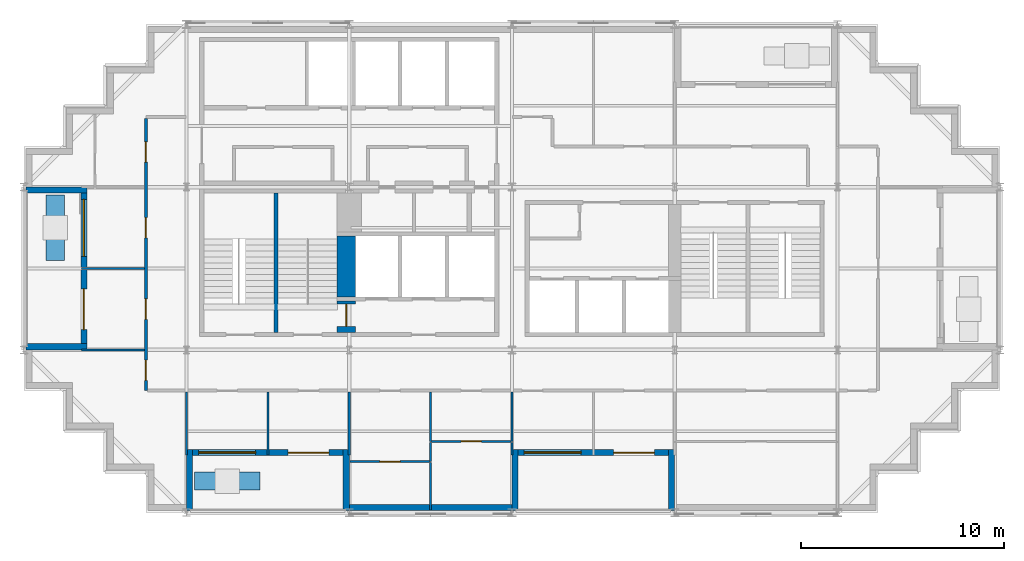
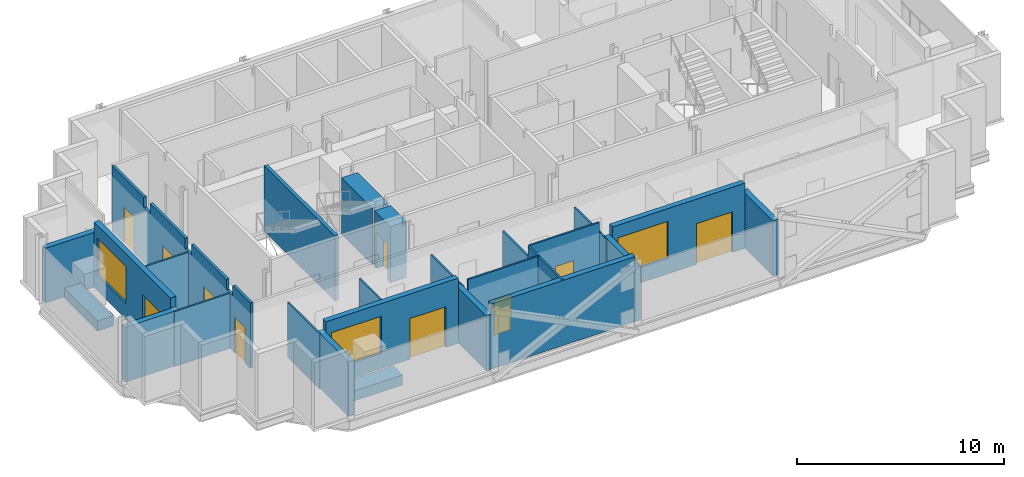
# One storey, part 4 of 10: 28 walls, 10 doors, 3 windows, 13 openings.
"""IFC4 building model written with IfcOpenShell, lengths in metres."""

from ifc_helpers import new_model, si_unit, direction, frame, frame_2d, origin, place, context, subcontext, project, spatial, polyline, rectangle, outline, extrude, material, layer, layer_set, type_object, element, fill, save


model = new_model("IFC4")

# Units and contexts
model_context = context("Model", 3, precision=1e-05, world=origin(), true_north=direction((0.0, 1.0)))
body_context = subcontext(model_context, "Body", "Model", "MODEL_VIEW")
ifc_project = project(units=[si_unit("LENGTHUNIT", "METRE"), si_unit("AREAUNIT", "SQUARE_METRE"), si_unit("VOLUMEUNIT", "CUBIC_METRE"), si_unit("PLANEANGLEUNIT", "RADIAN"), si_unit("MASSUNIT", "GRAM", prefix="KILO")], contexts=[model_context])

# Site, building, storey
site_placement = place(None, origin())
site = spatial("IfcSite", under=ifc_project, at=site_placement, CompositionType="ELEMENT")
building_placement = place(site_placement, origin())
building = spatial("IfcBuilding", under=site, at=building_placement, Name="Immortelle Media Tower", CompositionType="ELEMENT")
storey_placement = place(building_placement, frame((0.0, 0.0, 291.0)))
storey = spatial("IfcBuildingStorey", under=building, at=storey_placement, Name="L64", CompositionType="ELEMENT", Elevation=291.0)

# Wall, openings, doors
ifc_material_1 = material(Name="Fire-rated gypsum board", Category="gypsum")
ifc_layer_1 = layer(ifc_material_1, 0.012451171875)
ifc_material_2 = material(Name="Steel ASTM A653 SS Gr 50 stud frame with mineral wool", Category="steel")
ifc_layer_2 = layer(ifc_material_2, 0.125)
ifc_layer_3 = layer(ifc_material_1, 0.012451171875)
ifc_layer_set_1 = layer_set([ifc_layer_1, ifc_layer_2, ifc_layer_3], Name="Steel ASTM A653 SS Gr 50 stud frame with mineral wool")
wall_type_1 = type_object("IfcWallType", Name="Corridor wall 150", PredefinedType="PARTITIONING", material=ifc_layer_set_1)
wall_1_placement = place(storey_placement, frame((6.0, 6.0, 0.0), z_axis=(0.0, 0.0, 1.0), x_axis=(0.0, 1.0, 0.0)))
wall_1 = element("IfcWall", 1, at=wall_1_placement, inside=storey, type_object=wall_type_1, Name="Partition L64-018", PredefinedType="PARTITIONING", context=body_context, shape_type="SweptSolid", body=[
    extrude(outline(polyline([(0.0, 0.0), (13.375, 0.0), (13.375, 3.85009765625), (10.300048828125, 3.85009765625), (10.298095703125, 3.238037109375), (9.701904296875, 3.238037109375), (9.699951171875, 3.85009765625), (6.300048828125, 3.85009765625), (6.298095703125, 3.238037109375), (5.701904296875, 3.238037109375), (5.699951171875, 3.85009765625), (2.300048828125, 3.85009765625), (2.298095703125, 3.238037109375), (1.701904296875, 3.238037109375), (1.699951171875, 3.85009765625), (0.0, 3.85009765625), (0.0, 0.0)])), frame((0.0, 0.074951171875, 0.0), z_axis=(0.0, -1.0, 0.0), x_axis=(1.0, 0.0, 0.0)), (0.0, 0.0, 1.0), 0.14990234375),
])
opening_1_placement = place(wall_1_placement, frame((0.5, 0.0, 0.0)))
opening_1 = element("IfcOpeningElement", 2, at=opening_1_placement, cuts=wall_1, Name="Opening X6-F011", PredefinedType="OPENING", context=body_context, shape_type="SweptSolid", body=[
    extrude(rectangle(XDim=1.0, YDim=2.10009765625, at=frame_2d((0.5, 1.050048828125))), frame((0.0, 0.0849609375, 0.0), z_axis=(0.0, -1.0, 0.0), x_axis=(1.0, 0.0, 0.0)), (0.0, 0.0, 1.0), 0.169921875),
])
opening_2_placement = place(wall_1_placement, frame((3.5, 0.0, 0.0)))
opening_2 = element("IfcOpeningElement", 3, at=opening_2_placement, cuts=wall_1, Name="Opening X6-F013", PredefinedType="OPENING", context=body_context, shape_type="SweptSolid", body=[
    extrude(rectangle(XDim=1.0, YDim=2.10009765625, at=frame_2d((0.5, 1.050048828125))), frame((0.0, 0.0849609375, 0.0), z_axis=(0.0, -1.0, 0.0), x_axis=(1.0, 0.0, 0.0)), (0.0, 0.0, 1.0), 0.169921875),
])
opening_3_placement = place(wall_1_placement, frame((7.5, 0.0, 0.0)))
opening_3 = element("IfcOpeningElement", 4, at=opening_3_placement, cuts=wall_1, Name="Opening X6-F014", PredefinedType="OPENING", context=body_context, shape_type="SweptSolid", body=[
    extrude(rectangle(XDim=1.0, YDim=2.10009765625, at=frame_2d((0.5, 1.050048828125))), frame((0.0, 0.0849609375, 0.0), z_axis=(0.0, -1.0, 0.0), x_axis=(1.0, 0.0, 0.0)), (0.0, 0.0, 1.0), 0.169921875),
])
opening_4_placement = place(wall_1_placement, frame((11.22509765625, 0.0, 0.0)))
opening_4 = element("IfcOpeningElement", 5, at=opening_4_placement, cuts=wall_1, Name="Opening X6-F016", PredefinedType="OPENING", context=body_context, shape_type="SweptSolid", body=[
    extrude(rectangle(XDim=1.0, YDim=2.10009765625, at=frame_2d((0.5, 1.050048828125))), frame((0.0, 0.0849609375, 0.0), z_axis=(0.0, -1.0, 0.0), x_axis=(1.0, 0.0, 0.0)), (0.0, 0.0, 1.0), 0.169921875),
])
ifc_material_3 = material(Name="Timber veneered door leaf, galvanised steel frame ASTM A653", Category="steel")
door_type_1 = type_object("IfcDoorType", Name="Room door 1000 x 2100", OperationType="NOTDEFINED", PredefinedType="DOOR", material=ifc_material_3)
door_1_placement = place(opening_1_placement, origin())
door_1 = element("IfcDoor", 6, at=door_1_placement, inside=storey, type_object=door_type_1, Name="Door X6-F011", OperationType="SINGLE_SWING_RIGHT", OverallHeight=2.10009765625, OverallWidth=1.0, PredefinedType="DOOR", context=body_context, shape_type="SweptSolid", body=[
    extrude(rectangle(XDim=1.0, YDim=2.10009765625, at=frame_2d((0.5, 1.050048828125))), frame((0.0, 0.02490234375, 0.0), z_axis=(0.0, -1.0, 0.0), x_axis=(1.0, 0.0, 0.0)), (0.0, 0.0, 1.0), 0.050048828125),
])
fill(opening_1, door_1)
door_2_placement = place(opening_2_placement, origin())
door_2 = element("IfcDoor", 7, at=door_2_placement, inside=storey, type_object=door_type_1, Name="Door X6-F013", OperationType="SINGLE_SWING_RIGHT", OverallHeight=2.10009765625, OverallWidth=1.0, PredefinedType="DOOR", context=body_context, shape_type="SweptSolid", body=[
    extrude(rectangle(XDim=1.0, YDim=2.10009765625, at=frame_2d((0.5, 1.050048828125))), frame((0.0, 0.02490234375, 0.0), z_axis=(0.0, -1.0, 0.0), x_axis=(1.0, 0.0, 0.0)), (0.0, 0.0, 1.0), 0.050048828125),
])
fill(opening_2, door_2)
door_3_placement = place(opening_3_placement, origin())
door_3 = element("IfcDoor", 8, at=door_3_placement, inside=storey, type_object=door_type_1, Name="Door X6-F014", OperationType="SINGLE_SWING_RIGHT", OverallHeight=2.10009765625, OverallWidth=1.0, PredefinedType="DOOR", context=body_context, shape_type="SweptSolid", body=[
    extrude(rectangle(XDim=1.0, YDim=2.10009765625, at=frame_2d((0.5, 1.050048828125))), frame((0.0, 0.02490234375, 0.0), z_axis=(0.0, -1.0, 0.0), x_axis=(1.0, 0.0, 0.0)), (0.0, 0.0, 1.0), 0.050048828125),
])
fill(opening_3, door_3)
door_4_placement = place(opening_4_placement, origin())
door_4 = element("IfcDoor", 9, at=door_4_placement, inside=storey, type_object=door_type_1, Name="Door X6-F016", OperationType="SINGLE_SWING_LEFT", OverallHeight=2.10009765625, OverallWidth=1.0, PredefinedType="DOOR", context=body_context, shape_type="SweptSolid", body=[
    extrude(rectangle(XDim=1.0, YDim=2.10009765625, at=frame_2d((0.5, 1.050048828125))), frame((0.0, 0.02490234375, 0.0), z_axis=(0.0, -1.0, 0.0), x_axis=(1.0, 0.0, 0.0)), (0.0, 0.0, 1.0), 0.050048828125),
])
fill(opening_4, door_4)

# Wall, openings, door, window
ifc_material_4 = material(Name="Pale aluminium cladding panel", Category="aluminium")
ifc_layer_4 = layer(ifc_material_4, 0.030029296875)
ifc_layer_5 = layer(ifc_material_2, 0.257568359375)
ifc_material_5 = material(Name="Moisture-resistant gypsum board", Category="gypsum")
ifc_layer_6 = layer(ifc_material_5, 0.012451171875)
ifc_layer_set_2 = layer_set([ifc_layer_4, ifc_layer_5, ifc_layer_6], Name="Steel ASTM A653 SS Gr 50 stud frame with mineral wool")
wall_type_2 = type_object("IfcWallType", Name="Facade wall 300", PredefinedType="SOLIDWALL", material=ifc_layer_set_2)
wall_2_placement = place(storey_placement, frame((8.300048828125, 2.949951171875, 0.0), z_axis=(0.0, 0.0, 1.0), x_axis=(1.0, 0.0, 0.0)))
wall_2 = element("IfcWall", 10, at=wall_2_placement, inside=storey, type_object=wall_type_2, Name="Loggia wall L64 S6", PredefinedType="SOLIDWALL", context=body_context, shape_type="SweptSolid", body=[
    extrude(rectangle(XDim=7.39990234375, YDim=0.300048828125, at=frame_2d((3.699951171875, 0.0))), origin(), (0.0, 0.0, 1.0), 3.85009765625),
])
opening_5_placement = place(wall_2_placement, frame((0.300048828125, 0.0, 0.89990234375)))
opening_5 = element("IfcOpeningElement", 11, at=opening_5_placement, cuts=wall_2, Name="Opening W1", PredefinedType="OPENING", context=body_context, shape_type="SweptSolid", body=[
    extrude(rectangle(XDim=2.800048828125, YDim=2.199951171875, at=frame_2d((1.39990234375, 1.10009765625))), frame((0.0, 0.159912109375, 0.0), z_axis=(0.0, -1.0, 0.0), x_axis=(1.0, 0.0, 0.0)), (0.0, 0.0, 1.0), 0.320068359375),
])
opening_6_placement = place(wall_2_placement, frame((4.699951171875, 0.0, 0.0)))
opening_6 = element("IfcOpeningElement", 12, at=opening_6_placement, cuts=wall_2, Name="Opening X6-E001", PredefinedType="OPENING", context=body_context, shape_type="SweptSolid", body=[
    extrude(rectangle(XDim=2.0, YDim=2.39990234375, at=frame_2d((1.0, 1.199951171875))), frame((0.0, 0.159912109375, 0.0), z_axis=(0.0, -1.0, 0.0), x_axis=(1.0, 0.0, 0.0)), (0.0, 0.0, 1.0), 0.320068359375),
])
ifc_material_6 = material(Name="Aluminium frame, glazed leaves", Category="aluminium")
door_type_2 = type_object("IfcDoorType", Name="Loggia door 2000 x 2400", OperationType="DOUBLE_DOOR_SINGLE_SWING", PredefinedType="DOOR", material=ifc_material_6)
door_5_placement = place(opening_6_placement, origin())
door_5 = element("IfcDoor", 13, at=door_5_placement, inside=storey, type_object=door_type_2, Name="Door X6-E001", OperationType="DOUBLE_DOOR_SINGLE_SWING", OverallHeight=2.39990234375, OverallWidth=2.0, PredefinedType="DOOR", context=body_context, shape_type="SweptSolid", body=[
    extrude(rectangle(XDim=2.0, YDim=2.39990234375, at=frame_2d((1.0, 1.199951171875))), frame((0.0, 0.02490234375, 0.0), z_axis=(0.0, -1.0, 0.0), x_axis=(1.0, 0.0, 0.0)), (0.0, 0.0, 1.0), 0.050048828125),
])
fill(opening_6, door_5)
ifc_material_7 = material(Name="Aluminium frame", Category="aluminium")
window_type = type_object("IfcWindowType", Name="Window 2800 x 2200", PartitioningType="SINGLE_PANEL", PredefinedType="WINDOW", material=ifc_material_7)
window_1_placement = place(opening_5_placement, origin())
window_1 = element("IfcWindow", 14, at=window_1_placement, inside=storey, type_object=window_type, Name="Window L64 L64-R6-B0", OverallHeight=2.199951171875, OverallWidth=2.800048828125, PartitioningType="SINGLE_PANEL", PredefinedType="WINDOW", context=body_context, shape_type="SweptSolid", body=[
    extrude(rectangle(XDim=2.800048828125, YDim=2.199951171875, at=frame_2d((1.39990234375, 1.10009765625))), frame((0.0, 0.030029296875, 0.0), z_axis=(0.0, -1.0, 0.0), x_axis=(1.0, 0.0, 0.0)), (0.0, 0.0, 1.0), 0.06005859375),
])
fill(opening_5, window_1)

# Walls
wall_3_placement = place(storey_placement, frame((8.14990234375, 0.10009765625, 0.0), z_axis=(0.0, 0.0, 1.0), x_axis=(0.0, 1.0, 0.0)))
element("IfcWall", 15, at=wall_3_placement, inside=storey, type_object=wall_type_2, Name="Loggia cheek wall L64 S", PredefinedType="SOLIDWALL", context=body_context, shape_type="SweptSolid", body=[
    extrude(rectangle(XDim=3.0, YDim=0.300048828125, at=frame_2d((1.5, 0.0))), origin(), (0.0, 0.0, 1.0), 3.237060546875),
])
wall_4_placement = place(storey_placement, frame((15.85009765625, 0.10009765625, 0.0), z_axis=(0.0, 0.0, 1.0), x_axis=(0.0, 1.0, 0.0)))
element("IfcWall", 16, at=wall_4_placement, inside=storey, type_object=wall_type_2, Name="Loggia cheek wall L64 S", PredefinedType="SOLIDWALL", context=body_context, shape_type="SweptSolid", body=[
    extrude(rectangle(XDim=3.0, YDim=0.300048828125, at=frame_2d((1.5, 0.0))), origin(), (0.0, 0.0, 1.0), 3.2470703125),
])
wall_5_placement = place(storey_placement, frame((16.0, 0.25, 0.0), z_axis=(0.0, 0.0, 1.0), x_axis=(1.0, 0.0, 0.0)))
element("IfcWall", 17, at=wall_5_placement, inside=storey, type_object=wall_type_2, Name="Facade wall L64 S6", PredefinedType="SOLIDWALL", context=body_context, shape_type="SweptSolid", body=[
    extrude(rectangle(XDim=8.0, YDim=0.300048828125, at=frame_2d((4.0, 0.0))), origin(), (0.0, 0.0, 1.0), 3.85009765625),
])

# Wall, openings, door, window
wall_6_placement = place(storey_placement, frame((24.300048828125, 2.949951171875, 0.0), z_axis=(0.0, 0.0, 1.0), x_axis=(1.0, 0.0, 0.0)))
wall_6 = element("IfcWall", 18, at=wall_6_placement, inside=storey, type_object=wall_type_2, Name="Loggia wall L64 S6", PredefinedType="SOLIDWALL", context=body_context, shape_type="SweptSolid", body=[
    extrude(rectangle(XDim=7.39990234375, YDim=0.300048828125, at=frame_2d((3.699951171875, 0.0))), origin(), (0.0, 0.0, 1.0), 3.85009765625),
])
opening_7_placement = place(wall_6_placement, frame((0.300048828125, 0.0, 0.89990234375)))
opening_7 = element("IfcOpeningElement", 19, at=opening_7_placement, cuts=wall_6, Name="Opening W1", PredefinedType="OPENING", context=body_context, shape_type="SweptSolid", body=[
    extrude(rectangle(XDim=2.800048828125, YDim=2.199951171875, at=frame_2d((1.39990234375, 1.10009765625))), frame((0.0, 0.159912109375, 0.0), z_axis=(0.0, -1.0, 0.0), x_axis=(1.0, 0.0, 0.0)), (0.0, 0.0, 1.0), 0.320068359375),
])
opening_8_placement = place(wall_6_placement, frame((4.699951171875, 0.0, 0.0)))
opening_8 = element("IfcOpeningElement", 20, at=opening_8_placement, cuts=wall_6, Name="Opening X6-E002", PredefinedType="OPENING", context=body_context, shape_type="SweptSolid", body=[
    extrude(rectangle(XDim=2.0, YDim=2.39990234375, at=frame_2d((1.0, 1.199951171875))), frame((0.0, 0.159912109375, 0.0), z_axis=(0.0, -1.0, 0.0), x_axis=(1.0, 0.0, 0.0)), (0.0, 0.0, 1.0), 0.320068359375),
])
door_6_placement = place(opening_8_placement, origin())
door_6 = element("IfcDoor", 21, at=door_6_placement, inside=storey, type_object=door_type_2, Name="Door X6-E002", OperationType="DOUBLE_DOOR_SINGLE_SWING", OverallHeight=2.39990234375, OverallWidth=2.0, PredefinedType="DOOR", context=body_context, shape_type="SweptSolid", body=[
    extrude(rectangle(XDim=2.0, YDim=2.39990234375, at=frame_2d((1.0, 1.199951171875))), frame((0.0, 0.02490234375, 0.0), z_axis=(0.0, -1.0, 0.0), x_axis=(1.0, 0.0, 0.0)), (0.0, 0.0, 1.0), 0.050048828125),
])
fill(opening_8, door_6)
window_2_placement = place(opening_7_placement, origin())
window_2 = element("IfcWindow", 22, at=window_2_placement, inside=storey, type_object=window_type, Name="Window L64 L64-R6-B2", OverallHeight=2.199951171875, OverallWidth=2.800048828125, PartitioningType="SINGLE_PANEL", PredefinedType="WINDOW", context=body_context, shape_type="SweptSolid", body=[
    extrude(rectangle(XDim=2.800048828125, YDim=2.199951171875, at=frame_2d((1.39990234375, 1.10009765625))), frame((0.0, 0.030029296875, 0.0), z_axis=(0.0, -1.0, 0.0), x_axis=(1.0, 0.0, 0.0)), (0.0, 0.0, 1.0), 0.06005859375),
])
fill(opening_7, window_2)

# Walls
for number, where, z_axis, x_axis, name in (
    (23, (24.14990234375, 0.10009765625, 0.0), (0.0, 0.0, 1.0), (0.0, 1.0, 0.0), "Loggia cheek wall L64 S"),
    (24, (31.85009765625, 0.10009765625, 0.0), (0.0, 0.0, 1.0), (0.0, 1.0, 0.0), "Loggia cheek wall L64 S"),
):
    element("IfcWall", number, at=place(storey_placement, frame(where, z_axis=z_axis, x_axis=x_axis)), inside=storey, type_object=wall_type_2, Name=name, PredefinedType="SOLIDWALL", context=body_context, shape_type="SweptSolid", body=[
        extrude(rectangle(XDim=3.0, YDim=0.300048828125, at=frame_2d((1.5, 0.0))), origin(), (0.0, 0.0, 1.0), 3.2470703125),
    ])

# Wall, openings, door, window
wall_7_placement = place(storey_placement, frame((2.949951171875, 15.699951171875, 0.0), z_axis=(0.0, 0.0, 1.0), x_axis=(0.0, -1.0, 0.0)))
wall_7 = element("IfcWall", 25, at=wall_7_placement, inside=storey, type_object=wall_type_2, Name="Loggia wall L64 W27", PredefinedType="SOLIDWALL", context=body_context, shape_type="SweptSolid", body=[
    extrude(rectangle(XDim=7.39990234375, YDim=0.300048828125, at=frame_2d((3.699951171875, 0.0))), origin(), (0.0, 0.0, 1.0), 3.85009765625),
])
opening_9_placement = place(wall_7_placement, frame((0.300048828125, 0.0, 0.89990234375)))
opening_9 = element("IfcOpeningElement", 26, at=opening_9_placement, cuts=wall_7, Name="Opening W1", PredefinedType="OPENING", context=body_context, shape_type="SweptSolid", body=[
    extrude(rectangle(XDim=2.800048828125, YDim=2.199951171875, at=frame_2d((1.39990234375, 1.10009765625))), frame((0.0, 0.159912109375, 0.0), z_axis=(0.0, -1.0, 0.0), x_axis=(1.0, 0.0, 0.0)), (0.0, 0.0, 1.0), 0.320068359375),
])
opening_10_placement = place(wall_7_placement, frame((4.699951171875, 0.0, 0.0)))
opening_10 = element("IfcOpeningElement", 27, at=opening_10_placement, cuts=wall_7, Name="Opening X6-E006", PredefinedType="OPENING", context=body_context, shape_type="SweptSolid", body=[
    extrude(rectangle(XDim=2.0, YDim=2.39990234375, at=frame_2d((1.0, 1.199951171875))), frame((0.0, 0.159912109375, 0.0), z_axis=(0.0, -1.0, 0.0), x_axis=(1.0, 0.0, 0.0)), (0.0, 0.0, 1.0), 0.320068359375),
])
door_7_placement = place(opening_10_placement, origin())
door_7 = element("IfcDoor", 28, at=door_7_placement, inside=storey, type_object=door_type_2, Name="Door X6-E006", OperationType="DOUBLE_DOOR_SINGLE_SWING", OverallHeight=2.39990234375, OverallWidth=2.0, PredefinedType="DOOR", context=body_context, shape_type="SweptSolid", body=[
    extrude(rectangle(XDim=2.0, YDim=2.39990234375, at=frame_2d((1.0, 1.199951171875))), frame((0.0, 0.02490234375, 0.0), z_axis=(0.0, -1.0, 0.0), x_axis=(1.0, 0.0, 0.0)), (0.0, 0.0, 1.0), 0.050048828125),
])
fill(opening_10, door_7)
window_3_placement = place(opening_9_placement, origin())
window_3 = element("IfcWindow", 29, at=window_3_placement, inside=storey, type_object=window_type, Name="Window L64 L64-R27-B0", OverallHeight=2.199951171875, OverallWidth=2.800048828125, PartitioningType="SINGLE_PANEL", PredefinedType="WINDOW", context=body_context, shape_type="SweptSolid", body=[
    extrude(rectangle(XDim=2.800048828125, YDim=2.199951171875, at=frame_2d((1.39990234375, 1.10009765625))), frame((0.0, 0.030029296875, 0.0), z_axis=(0.0, -1.0, 0.0), x_axis=(1.0, 0.0, 0.0)), (0.0, 0.0, 1.0), 0.06005859375),
])
fill(opening_9, window_3)

# Walls
for number, where, z_axis, x_axis, name in (
    (30, (0.10009765625, 15.85009765625, 0.0), (0.0, 0.0, 1.0), (1.0, 0.0, 0.0), "Loggia cheek wall L64 W"),
    (31, (0.10009765625, 8.14990234375, 0.0), (0.0, 0.0, 1.0), (1.0, 0.0, 0.0), "Loggia cheek wall L64 W"),
):
    element("IfcWall", number, at=place(storey_placement, frame(where, z_axis=z_axis, x_axis=x_axis)), inside=storey, type_object=wall_type_2, Name=name, PredefinedType="SOLIDWALL", context=body_context, shape_type="SweptSolid", body=[
        extrude(rectangle(XDim=3.0, YDim=0.300048828125, at=frame_2d((1.5, 0.0))), origin(), (0.0, 0.0, 1.0), 3.237060546875),
    ])
ifc_material_8 = material(Name="Gypsum board", Category="gypsum")
ifc_layer_7 = layer(ifc_material_8, 0.012451171875)
ifc_layer_8 = layer(ifc_material_2, 0.074951171875)
ifc_layer_9 = layer(ifc_material_8, 0.012451171875)
ifc_layer_set_3 = layer_set([ifc_layer_7, ifc_layer_8, ifc_layer_9], Name="Steel ASTM A653 SS Gr 50 stud frame with mineral wool")
wall_type_3 = type_object("IfcWallType", Name="Partition 100", PredefinedType="PARTITIONING", material=ifc_layer_set_3)
wall_8_placement = place(storey_placement, frame((20.0, 0.1298828125, 0.0), z_axis=(0.0, 0.0, 1.0), x_axis=(0.0, 1.0, 0.0)))
element("IfcWall", 32, at=wall_8_placement, inside=storey, type_object=wall_type_3, Name="Partition L64-001", PredefinedType="PARTITIONING", context=body_context, shape_type="SweptSolid", body=[
    extrude(rectangle(XDim=2.320068359375, YDim=0.10009765625, at=frame_2d((1.16015625, 0.0))), origin(), (0.0, 0.0, 1.0), 3.85009765625),
])

# Wall, opening, door
wall_9_placement = place(storey_placement, frame((16.030029296875, 2.5, 0.0), z_axis=(0.0, 0.0, 1.0), x_axis=(1.0, 0.0, 0.0)))
wall_9 = element("IfcWall", 33, at=wall_9_placement, inside=storey, type_object=wall_type_3, Name="Partition L64-003", PredefinedType="PARTITIONING", context=body_context, shape_type="SweptSolid", body=[
    extrude(rectangle(XDim=3.919921875, YDim=0.10009765625, at=frame_2d((1.9599609375, 0.0))), origin(), (0.0, 0.0, 1.0), 3.85009765625),
])
opening_11_placement = place(wall_9_placement, frame((1.469970703125, 0.0, 0.0)))
opening_11 = element("IfcOpeningElement", 34, at=opening_11_placement, cuts=wall_9, Name="Opening X6-F002", PredefinedType="OPENING", context=body_context, shape_type="SweptSolid", body=[
    extrude(rectangle(XDim=1.0, YDim=2.10009765625, at=frame_2d((0.5, 1.050048828125))), frame((0.0, 0.06005859375, 0.0), z_axis=(0.0, -1.0, 0.0), x_axis=(1.0, 0.0, 0.0)), (0.0, 0.0, 1.0), 0.1201171875),
])
door_8_placement = place(opening_11_placement, origin())
door_8 = element("IfcDoor", 35, at=door_8_placement, inside=storey, type_object=door_type_1, Name="Door X6-F002", OperationType="SINGLE_SWING_LEFT", OverallHeight=2.10009765625, OverallWidth=1.0, PredefinedType="DOOR", context=body_context, shape_type="SweptSolid", body=[
    extrude(rectangle(XDim=1.0, YDim=2.10009765625, at=frame_2d((0.5, 1.050048828125))), frame((0.0, 0.02490234375, 0.0), z_axis=(0.0, -1.0, 0.0), x_axis=(1.0, 0.0, 0.0)), (0.0, 0.0, 1.0), 0.050048828125),
])
fill(opening_11, door_8)

# Walls
wall_10_placement = place(storey_placement, frame((20.0, 2.5, 0.0), z_axis=(0.0, 0.0, 1.0), x_axis=(0.0, 1.0, 0.0)))
element("IfcWall", 36, at=wall_10_placement, inside=storey, type_object=wall_type_3, Name="Partition L64-004", PredefinedType="PARTITIONING", context=body_context, shape_type="SweptSolid", body=[
    extrude(rectangle(XDim=0.949951171875, YDim=0.10009765625, at=frame_2d((0.47509765625, 0.0))), origin(), (0.0, 0.0, 1.0), 3.85009765625),
])
for number, where, z_axis, x_axis, name in (
    (37, (8.0, 2.830078125, 0.0), (0.0, 0.0, 1.0), (0.0, 1.0, 0.0), "Partition L64-005"),
    (38, (12.0, 2.830078125, 0.0), (0.0, 0.0, 1.0), (0.0, 1.0, 0.0), "Partition L64-006"),
    (39, (16.0, 2.830078125, 0.0), (0.0, 0.0, 1.0), (0.0, 1.0, 0.0), "Partition L64-007"),
):
    element("IfcWall", number, at=place(storey_placement, frame(where, z_axis=z_axis, x_axis=x_axis)), inside=storey, type_object=wall_type_3, Name=name, PredefinedType="PARTITIONING", context=body_context, shape_type="SweptSolid", body=[
        extrude(rectangle(XDim=3.094970703125, YDim=0.10009765625, at=frame_2d((1.54736328125, 0.0))), origin(), (0.0, 0.0, 1.0), 3.238037109375),
    ])
wall_11_placement = place(storey_placement, frame((24.0, 2.830078125, 0.0), z_axis=(0.0, 0.0, 1.0), x_axis=(0.0, 1.0, 0.0)))
element("IfcWall", 40, at=wall_11_placement, inside=storey, type_object=wall_type_3, Name="Partition L64-008", PredefinedType="PARTITIONING", context=body_context, shape_type="SweptSolid", body=[
    extrude(rectangle(XDim=0.619873046875, YDim=0.10009765625, at=frame_2d((0.31005859375, 0.0))), origin(), (0.0, 0.0, 1.0), 3.238037109375),
])

# Wall, opening, door
wall_12_placement = place(storey_placement, frame((20.050048828125, 3.5, 0.0), z_axis=(0.0, 0.0, 1.0), x_axis=(1.0, 0.0, 0.0)))
wall_12 = element("IfcWall", 41, at=wall_12_placement, inside=storey, type_object=wall_type_3, Name="Partition L64-011", PredefinedType="PARTITIONING", context=body_context, shape_type="SweptSolid", body=[
    extrude(rectangle(XDim=3.89990234375, YDim=0.10009765625, at=frame_2d((1.949951171875, 0.0))), origin(), (0.0, 0.0, 1.0), 3.85009765625),
])
opening_12_placement = place(wall_12_placement, frame((1.449951171875, 0.0, 0.0)))
opening_12 = element("IfcOpeningElement", 42, at=opening_12_placement, cuts=wall_12, Name="Opening X6-F004", PredefinedType="OPENING", context=body_context, shape_type="SweptSolid", body=[
    extrude(rectangle(XDim=1.0, YDim=2.10009765625, at=frame_2d((0.5, 1.050048828125))), frame((0.0, 0.06005859375, 0.0), z_axis=(0.0, -1.0, 0.0), x_axis=(1.0, 0.0, 0.0)), (0.0, 0.0, 1.0), 0.1201171875),
])
door_9_placement = place(opening_12_placement, origin())
door_9 = element("IfcDoor", 43, at=door_9_placement, inside=storey, type_object=door_type_1, Name="Door X6-F004", OperationType="SINGLE_SWING_LEFT", OverallHeight=2.10009765625, OverallWidth=1.0, PredefinedType="DOOR", context=body_context, shape_type="SweptSolid", body=[
    extrude(rectangle(XDim=1.0, YDim=2.10009765625, at=frame_2d((0.5, 1.050048828125))), frame((0.0, 0.02490234375, 0.0), z_axis=(0.0, -1.0, 0.0), x_axis=(1.0, 0.0, 0.0)), (0.0, 0.0, 1.0), 0.050048828125),
])
fill(opening_12, door_9)

# Walls
for number, where, z_axis, x_axis, name in (
    (44, (20.0, 3.5, 0.0), (0.0, 0.0, 1.0), (0.0, 1.0, 0.0), "Partition L64-012"),
    (45, (24.0, 3.5, 0.0), (0.0, 0.0, 1.0), (0.0, 1.0, 0.0), "Partition L64-013"),
):
    element("IfcWall", number, at=place(storey_placement, frame(where, z_axis=z_axis, x_axis=x_axis)), inside=storey, type_object=wall_type_3, Name=name, PredefinedType="PARTITIONING", context=body_context, shape_type="SweptSolid", body=[
        extrude(rectangle(XDim=2.425048828125, YDim=0.10009765625, at=frame_2d((1.21240234375, 0.0))), origin(), (0.0, 0.0, 1.0), 3.238037109375),
    ])
for number, where, z_axis, x_axis, name in (
    (46, (2.830078125, 8.0, 0.0), (0.0, 0.0, 1.0), (1.0, 0.0, 0.0), "Partition L64-020"),
    (47, (2.830078125, 12.0, 0.0), (0.0, 0.0, 1.0), (1.0, 0.0, 0.0), "Partition L64-022"),
):
    element("IfcWall", number, at=place(storey_placement, frame(where, z_axis=z_axis, x_axis=x_axis)), inside=storey, type_object=wall_type_3, Name=name, PredefinedType="PARTITIONING", context=body_context, shape_type="SweptSolid", body=[
        extrude(rectangle(XDim=3.094970703125, YDim=0.10009765625, at=frame_2d((1.54736328125, 0.0))), origin(), (0.0, 0.0, 1.0), 3.238037109375),
    ])
ifc_layer_10 = layer(ifc_material_4, 0.0029296875)
ifc_material_9 = material(Name="Steel ASTM A572 Gr 50 planter shell", Category="steel")
ifc_layer_11 = layer(ifc_material_9, 0.011962890625)
ifc_material_10 = material(Name="Planting substrate", Category="soil")
ifc_layer_12 = layer(ifc_material_10, 0.873046875)
ifc_layer_13 = layer(ifc_material_9, 0.011962890625)
ifc_layer_set_4 = layer_set([ifc_layer_10, ifc_layer_11, ifc_layer_12, ifc_layer_13], Name="Steel ASTM A572 Gr 50 planter shell")
wall_type_4 = type_object("IfcWallType", Name="Planter wall 900", PredefinedType="SOLIDWALL", material=ifc_layer_set_4)
for number, where, z_axis, x_axis, name in (
    (48, (8.39990234375, 1.550048828125, 0.0), (0.0, 0.0, 1.0), (1.0, 0.0, 0.0), "Planter L64 S0"),
    (49, (1.550048828125, 15.60009765625, 0.0), (0.0, 0.0, 1.0), (0.0, -1.0, 0.0), "Planter L64 W0"),
):
    element("IfcWall", number, at=place(storey_placement, frame(where, z_axis=z_axis, x_axis=x_axis)), inside=storey, type_object=wall_type_4, Name=name, PredefinedType="SOLIDWALL", context=body_context, shape_type="SweptSolid", body=[
        extrude(rectangle(XDim=3.2001953125, YDim=0.89990234375, at=frame_2d((1.60009765625, 0.0))), origin(), (0.0, 0.0, 1.0), 0.60009765625),
    ])
ifc_material_11 = material(Name="Concrete C60", Category="concrete")
ifc_layer_14 = layer(ifc_material_11, 0.199951171875)
ifc_layer_set_5 = layer_set([ifc_layer_14], Name="Concrete C60")
wall_type_5 = type_object("IfcWallType", Name="Stair shaft wall 200", PredefinedType="PARTITIONING", material=ifc_layer_set_5)
wall_13_placement = place(storey_placement, frame((12.39990234375, 8.85009765625, 0.0), z_axis=(0.0, 0.0, 1.0), x_axis=(0.0, 1.0, 0.0)))
element("IfcWall", 50, at=wall_13_placement, inside=storey, type_object=wall_type_5, Name="Stair shaft wall SW", PredefinedType="PARTITIONING", context=body_context, shape_type="SweptSolid", body=[
    extrude(rectangle(XDim=6.849853515625, YDim=0.199951171875, at=frame_2d((3.4248046875, 0.0))), origin(), (0.0, 0.0, 1.0), 3.85009765625),
])

# Wall, opening, door
ifc_layer_15 = layer(ifc_material_11, 0.89990234375)
ifc_layer_set_6 = layer_set([ifc_layer_15], Name="Concrete C60")
wall_type_6 = type_object("IfcWallType", Name="Stair shaft wall 900", PredefinedType="PARTITIONING", material=ifc_layer_set_6)
wall_14_placement = place(storey_placement, frame((15.85009765625, 8.85009765625, 0.0), z_axis=(0.0, 0.0, 1.0), x_axis=(0.0, 1.0, 0.0)))
wall_14 = element("IfcWall", 51, at=wall_14_placement, inside=storey, type_object=wall_type_6, Name="Stair shaft wall SW", PredefinedType="PARTITIONING", context=body_context, shape_type="SweptSolid", body=[
    extrude(rectangle(XDim=1.5498046875, YDim=0.89990234375, at=frame_2d((0.77490234375, 0.0))), origin(), (0.0, 0.0, 1.0), 3.318115234375),
])
opening_13_placement = place(wall_14_placement, frame((0.300048828125, 0.0, 0.0)))
opening_13 = element("IfcOpeningElement", 52, at=opening_13_placement, cuts=wall_14, Name="Opening X6-K007", PredefinedType="OPENING", context=body_context, shape_type="SweptSolid", body=[
    extrude(rectangle(XDim=1.10009765625, YDim=2.10009765625, at=frame_2d((0.550048828125, 1.050048828125))), frame((0.0, 0.4599609375, 0.0), z_axis=(0.0, -1.0, 0.0), x_axis=(1.0, 0.0, 0.0)), (0.0, 0.0, 1.0), 0.919921875),
])
ifc_material_12 = material(Name="Galvanised steel door leaf and frame ASTM A653", Category="steel")
door_type_3 = type_object("IfcDoorType", Name="Stair lobby door 1100 x 2100", OperationType="NOTDEFINED", PredefinedType="NOTDEFINED", material=ifc_material_12)
door_10_placement = place(opening_13_placement, origin())
door_10 = element("IfcDoor", 53, at=door_10_placement, inside=storey, type_object=door_type_3, Name="Stair lobby X6-K007", OperationType="SINGLE_SWING_LEFT", OverallHeight=2.10009765625, OverallWidth=1.10009765625, PredefinedType="NOTDEFINED", context=body_context, shape_type="SweptSolid", body=[
    extrude(rectangle(XDim=1.10009765625, YDim=2.10009765625, at=frame_2d((0.550048828125, 1.050048828125))), frame((0.0, 0.02490234375, 0.0), z_axis=(0.0, -1.0, 0.0), x_axis=(1.0, 0.0, 0.0)), (0.0, 0.0, 1.0), 0.050048828125),
])
fill(opening_13, door_10)

# Wall
wall_15_placement = place(storey_placement, frame((15.85009765625, 10.60009765625, 0.0), z_axis=(0.0, 0.0, 1.0), x_axis=(0.0, 1.0, 0.0)))
element("IfcWall", 54, at=wall_15_placement, inside=storey, type_object=wall_type_6, Name="Stair shaft wall SW", PredefinedType="PARTITIONING", context=body_context, shape_type="SweptSolid", body=[
    extrude(rectangle(XDim=3.0, YDim=0.89990234375, at=frame_2d((1.5, 0.0))), origin(), (0.0, 0.0, 1.0), 3.318115234375),
])

save(model, "model.ifc")
